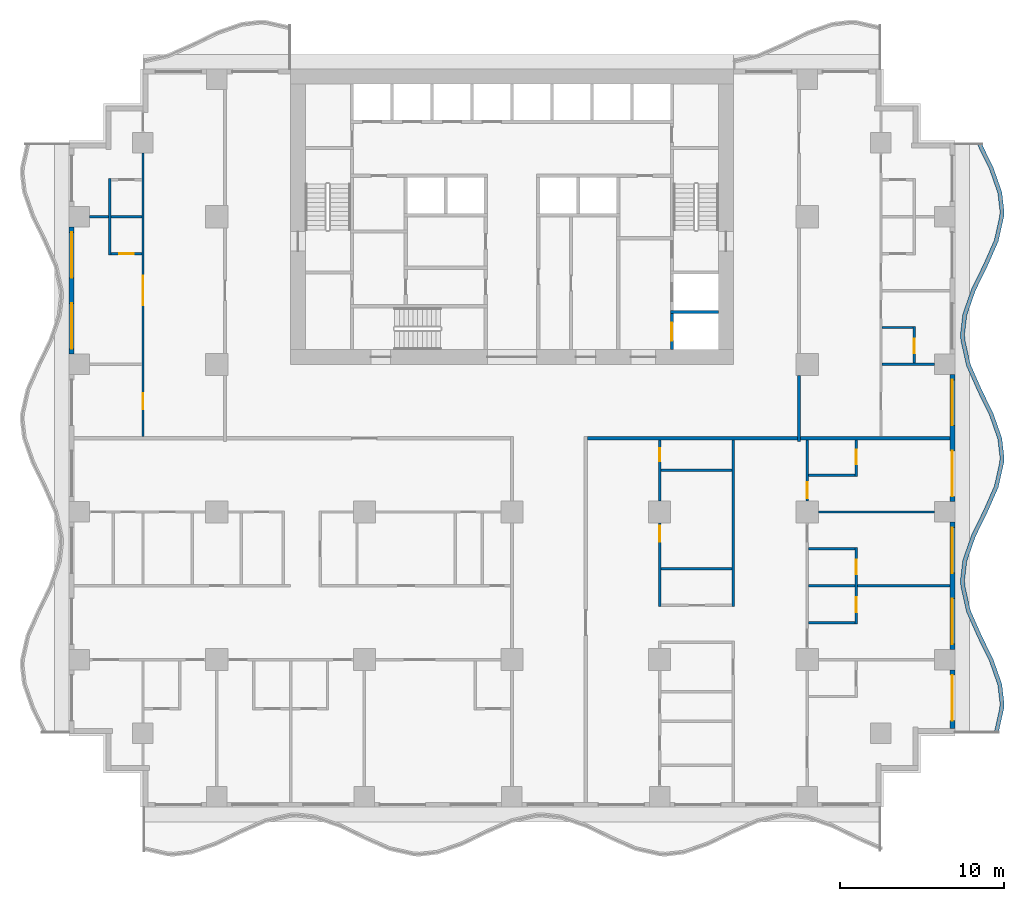
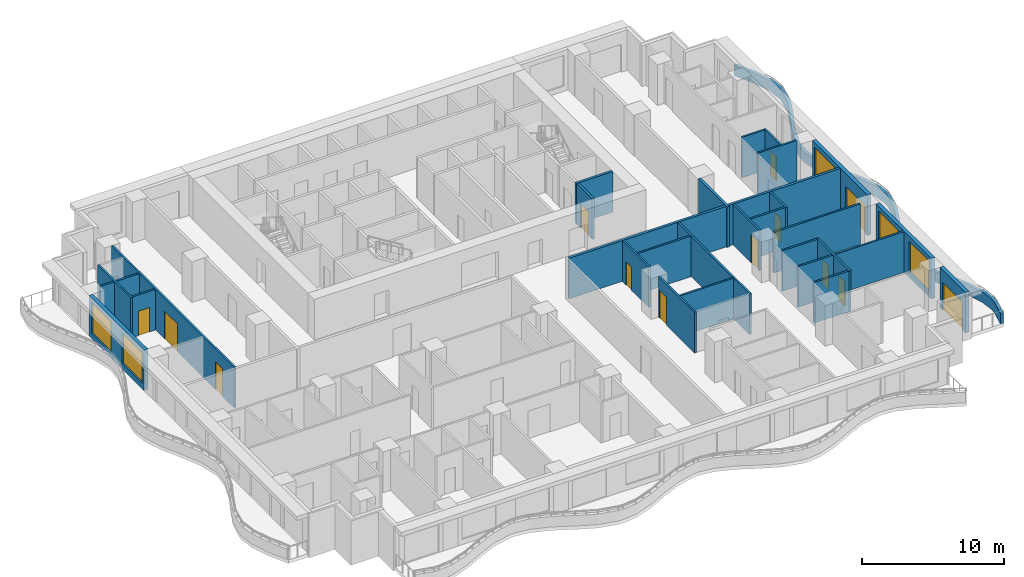
# One storey, part 4 of 14: 32 walls, 13 doors, 5 windows, 18 openings.
"""IFC4 building model written with IfcOpenShell, lengths in metres."""

from ifc_helpers import new_model, si_unit, direction, frame, frame_2d, origin, place, context, subcontext, project, spatial, polyline, rectangle, outline, extrude, material, layer, layer_set, type_object, element, fill, save


model = new_model("IFC4")

# Units and contexts
model_context = context("Model", 3, precision=1e-05, world=origin(), true_north=direction((0.0, 1.0)))
body_context = subcontext(model_context, "Body", "Model", "MODEL_VIEW")
ifc_project = project(units=[si_unit("LENGTHUNIT", "METRE"), si_unit("AREAUNIT", "SQUARE_METRE"), si_unit("VOLUMEUNIT", "CUBIC_METRE"), si_unit("PLANEANGLEUNIT", "RADIAN"), si_unit("MASSUNIT", "GRAM", prefix="KILO")], contexts=[model_context])

# Site, building, storey
site_placement = place(None, origin())
site = spatial("IfcSite", under=ifc_project, at=site_placement, CompositionType="ELEMENT")
building_placement = place(site_placement, origin())
building = spatial("IfcBuilding", under=site, at=building_placement, Name="Orbiselva Terraces", CompositionType="ELEMENT")
storey_placement = place(building_placement, frame((0.0, 0.0, 111.2)))
storey = spatial("IfcBuildingStorey", under=building, at=storey_placement, Name="L28", CompositionType="ELEMENT", Elevation=111.2)

# Wall, opening, door
ifc_material_1 = material(Name="Concrete C60/75", Category="concrete")
ifc_layer_1 = layer(ifc_material_1, 0.2)
ifc_layer_set_1 = layer_set([ifc_layer_1], Name="Concrete C60/75")
wall_type_1 = type_object("IfcWallType", Name="CORE-WALL-SHEAR-200", PredefinedType="SHEAR", material=ifc_layer_set_1)
wall_1_placement = place(storey_placement, frame((9.75, 5.4, 0.0), z_axis=(0.0, 0.0, 1.0), x_axis=(0.0, 1.0, 0.0)))
wall_1 = element("IfcWall", 1, at=wall_1_placement, inside=storey, type_object=wall_type_1, Name="L28 core wall 42", PredefinedType="SHEAR", context=body_context, shape_type="SweptSolid", body=[
    extrude(rectangle(XDim=2.2, YDim=0.2, at=frame_2d((1.1, 0.0))), origin(), (0.0, 0.0, 1.0), 3.5),
])
opening_1_placement = place(wall_1_placement, frame((0.55, 0.0, 0.0)))
opening_1 = element("IfcOpeningElement", 2, at=opening_1_placement, cuts=wall_1, Name="Opening LD-FF1", PredefinedType="OPENING", context=body_context, shape_type="SweptSolid", body=[
    extrude(rectangle(XDim=1.1, YDim=2.1, at=frame_2d((0.55, 1.05))), frame((0.0, 0.11, 0.0), z_axis=(0.0, -1.0, 0.0), x_axis=(1.0, 0.0, 0.0)), (0.0, 0.0, 1.0), 0.22),
])
ifc_material_2 = material(Name="Stainless steel landing door", Category="steel")
door_type_1 = type_object("IfcDoorType", Name="LANDING DOOR 1100", OperationType="SLIDING_TO_LEFT", PredefinedType="DOOR", material=ifc_material_2)
door_1_placement = place(opening_1_placement, origin())
door_1 = element("IfcDoor", 3, at=door_1_placement, inside=storey, type_object=door_type_1, Name="L28 landing door FF1", OperationType="SLIDING_TO_RIGHT", OverallHeight=2.1, OverallWidth=1.1, PredefinedType="DOOR", context=body_context, shape_type="SweptSolid", body=[
    extrude(rectangle(XDim=1.1, YDim=2.1, at=frame_2d((0.55, 1.05))), frame((0.0, 0.025, 0.0), z_axis=(0.0, -1.0, 0.0), x_axis=(1.0, 0.0, 0.0)), (0.0, 0.0, 1.0), 0.05),
])
fill(opening_1, door_1)

# Walls
wall_2_placement = place(storey_placement, frame((9.65, 7.7, 0.0), z_axis=(0.0, 0.0, 1.0), x_axis=(1.0, 0.0, 0.0)))
element("IfcWall", 4, at=wall_2_placement, inside=storey, type_object=wall_type_1, Name="L28 core wall 43", PredefinedType="SHEAR", context=body_context, shape_type="SweptSolid", body=[
    extrude(rectangle(XDim=2.95, YDim=0.2, at=frame_2d((1.475, 0.0))), origin(), (0.0, 0.0, 1.0), 3.5),
])
ifc_material_3 = material(Name="Concrete C40/50", Category="concrete")
ifc_layer_2 = layer(ifc_material_3, 0.25)
ifc_layer_set_2 = layer_set([ifc_layer_2], Name="Concrete C40/50")
wall_type_2 = type_object("IfcWallType", Name="ENV-PLANTER-250x900", PredefinedType="USERDEFINED", material=ifc_layer_set_2)
wall_3_placement = place(storey_placement, origin())
element("IfcWall", 5, at=wall_3_placement, inside=storey, type_object=wall_type_2, Name="Balcony planter L28 E", ObjectType="PLANTER", PredefinedType="USERDEFINED", context=body_context, shape_type="SweptSolid", body=[
    extrude(outline(polyline([(29.648528, -18.0), (29.985226, -16.5), (30.0, -16.125), (29.869208, -15.0), (29.344789, -13.5), (28.612279, -12.0), (27.951472, -10.5), (27.614774, -9.0), (27.6, -8.625), (27.730792, -7.5), (28.255211, -6.0), (28.987721, -4.5), (29.648528, -3.0), (29.985226, -1.5), (30.0, -1.125), (29.869208, 0.0), (29.344789, 1.5), (28.612279, 3.0), (27.951472, 4.5), (27.614774, 6.0), (27.6, 6.375), (27.730792, 7.5), (28.255211, 9.0), (28.987721, 10.5), (29.648528, 12.0), (29.985226, 13.5), (30.0, 13.875), (29.869208, 15.0), (29.344789, 16.5), (28.612279, 18.0), (28.387634, 17.890297), (29.113667, 16.40356), (29.624078, 14.943629), (29.749429, 13.865428), (29.736315, 13.532565), (29.40993, 12.078508), (28.760919, 10.605286), (28.024089, 9.09644), (27.485662, 7.556371), (27.349429, 6.384572), (27.365863, 5.967435), (27.712874, 4.421492), (28.385477, 2.894714), (29.113667, 1.40356), (29.624078, -0.056371), (29.749429, -1.134572), (29.736315, -1.467435), (29.40993, -2.921492), (28.760919, -4.394714), (28.024089, -5.90356), (27.485662, -7.443629), (27.349429, -8.615428), (27.365863, -9.032565), (27.712874, -10.578508), (28.385477, -12.105286), (29.113667, -13.59644), (29.624078, -15.056371), (29.749429, -16.134572), (29.736315, -16.467435), (29.404598, -17.945246), (29.648528, -18.0)])), origin(), (0.0, 0.0, 1.0), 0.9),
])

# Wall, opening, door
ifc_material_4 = material(Name="Terracotta cladding on masonry backing", Category="masonry")
ifc_layer_3 = layer(ifc_material_4, 0.3)
ifc_layer_set_3 = layer_set([ifc_layer_3], Name="Terracotta cladding on masonry backing")
wall_type_3 = type_object("IfcWallType", Name="ENV-WALL-TERRACOTTA-300", PredefinedType="SOLIDWALL", material=ifc_layer_set_3)
wall_4_placement = place(storey_placement, frame((26.85, -14.125, 0.0), z_axis=(0.0, 0.0, 1.0), x_axis=(0.0, -1.0, 0.0)))
wall_4 = element("IfcWall", 6, at=wall_4_placement, inside=storey, type_object=wall_type_3, Name="Facade wall L28 E", PredefinedType="SOLIDWALL", context=body_context, shape_type="SweptSolid", body=[
    extrude(rectangle(XDim=3.575, YDim=0.3, at=frame_2d((1.7875, 0.0))), origin(), (0.0, 0.0, 1.0), 3.5),
])
opening_2_placement = place(wall_4_placement, frame((0.325, 0.0, 0.0)))
opening_2 = element("IfcOpeningElement", 7, at=opening_2_placement, cuts=wall_4, Name="Opening Z2-D-E14", PredefinedType="OPENING", context=body_context, shape_type="SweptSolid", body=[
    extrude(rectangle(XDim=2.775, YDim=2.4, at=frame_2d((1.3875, 1.2))), frame((0.0, 0.16, 0.0), z_axis=(0.0, -1.0, 0.0), x_axis=(1.0, 0.0, 0.0)), (0.0, 0.0, 1.0), 0.32),
])
ifc_material_5 = material(Name="Clear low-e glazing in aluminium frame", Category="aluminium")
door_type_2 = type_object("IfcDoorType", Name="BALCONY DOOR 2775 X 2400", OperationType="DOUBLE_DOOR_SLIDING", PredefinedType="DOOR", material=ifc_material_5)
door_2_placement = place(opening_2_placement, origin())
door_2 = element("IfcDoor", 8, at=door_2_placement, inside=storey, type_object=door_type_2, Name="Z2-D-E14", OperationType="SINGLE_SWING_LEFT", OverallHeight=2.4, OverallWidth=2.775, PredefinedType="DOOR", context=body_context, shape_type="SweptSolid", body=[
    extrude(rectangle(XDim=2.775, YDim=2.4, at=frame_2d((1.3875, 1.2))), frame((0.0, 0.025, 0.0), z_axis=(0.0, -1.0, 0.0), x_axis=(1.0, 0.0, 0.0)), (0.0, 0.0, 1.0), 0.05),
])
fill(opening_2, door_2)

# Wall, openings, windows
wall_5_placement = place(storey_placement, frame((26.85, -5.125, 0.0), z_axis=(0.0, 0.0, 1.0), x_axis=(0.0, -1.0, 0.0)))
wall_5 = element("IfcWall", 9, at=wall_5_placement, inside=storey, type_object=wall_type_3, Name="Facade wall L28 E", PredefinedType="SOLIDWALL", context=body_context, shape_type="SweptSolid", body=[
    extrude(rectangle(XDim=7.75, YDim=0.3, at=frame_2d((3.875, 0.0))), origin(), (0.0, 0.0, 1.0), 3.5),
])
opening_3_placement = place(wall_5_placement, frame((4.65, 0.0, 0.45)))
opening_3 = element("IfcOpeningElement", 10, at=opening_3_placement, cuts=wall_5, Name="Opening WN6", PredefinedType="OPENING", context=body_context, shape_type="SweptSolid", body=[
    extrude(rectangle(XDim=2.775, YDim=2.65, at=frame_2d((1.3875, 1.325))), frame((0.0, 0.16, 0.0), z_axis=(0.0, -1.0, 0.0), x_axis=(1.0, 0.0, 0.0)), (0.0, 0.0, 1.0), 0.32),
])
opening_4_placement = place(wall_5_placement, frame((0.325, 0.0, 0.45)))
opening_4 = element("IfcOpeningElement", 11, at=opening_4_placement, cuts=wall_5, Name="Opening WN6", PredefinedType="OPENING", context=body_context, shape_type="SweptSolid", body=[
    extrude(rectangle(XDim=2.775, YDim=2.65, at=frame_2d((1.3875, 1.325))), frame((0.0, 0.16, 0.0), z_axis=(0.0, -1.0, 0.0), x_axis=(1.0, 0.0, 0.0)), (0.0, 0.0, 1.0), 0.32),
])
window_type = type_object("IfcWindowType", Name="WINDOW 2775 X 2650 S450", PartitioningType="TRIPLE_PANEL_VERTICAL", PredefinedType="WINDOW", material=ifc_material_5)
window_1_placement = place(opening_3_placement, origin())
window_1 = element("IfcWindow", 12, at=window_1_placement, inside=storey, type_object=window_type, Name="Window L28 E", OverallHeight=2.65, OverallWidth=2.775, PartitioningType="SINGLE_PANEL", PredefinedType="WINDOW", context=body_context, shape_type="SweptSolid", body=[
    extrude(rectangle(XDim=2.775, YDim=2.65, at=frame_2d((1.3875, 1.325))), frame((0.0, 0.03, 0.0), z_axis=(0.0, -1.0, 0.0), x_axis=(1.0, 0.0, 0.0)), (0.0, 0.0, 1.0), 0.06),
])
fill(opening_3, window_1)
window_2_placement = place(opening_4_placement, origin())
window_2 = element("IfcWindow", 13, at=window_2_placement, inside=storey, type_object=window_type, Name="Window L28 E", OverallHeight=2.65, OverallWidth=2.775, PartitioningType="SINGLE_PANEL", PredefinedType="WINDOW", context=body_context, shape_type="SweptSolid", body=[
    extrude(rectangle(XDim=2.775, YDim=2.65, at=frame_2d((1.3875, 1.325))), frame((0.0, 0.03, 0.0), z_axis=(0.0, -1.0, 0.0), x_axis=(1.0, 0.0, 0.0)), (0.0, 0.0, 1.0), 0.06),
])
fill(opening_4, window_2)

# Wall, openings, door, window
wall_6_placement = place(storey_placement, frame((26.85, 3.875, 0.0), z_axis=(0.0, 0.0, 1.0), x_axis=(0.0, -1.0, 0.0)))
wall_6 = element("IfcWall", 14, at=wall_6_placement, inside=storey, type_object=wall_type_3, Name="Facade wall L28 E", PredefinedType="SOLIDWALL", context=body_context, shape_type="SweptSolid", body=[
    extrude(rectangle(XDim=7.75, YDim=0.3, at=frame_2d((3.875, 0.0))), origin(), (0.0, 0.0, 1.0), 3.5),
])
opening_5_placement = place(wall_6_placement, frame((4.65, 0.0, 0.0)))
opening_5 = element("IfcOpeningElement", 15, at=opening_5_placement, cuts=wall_6, Name="Opening Z2-D-E20", PredefinedType="OPENING", context=body_context, shape_type="SweptSolid", body=[
    extrude(rectangle(XDim=2.775, YDim=2.4, at=frame_2d((1.3875, 1.2))), frame((0.0, 0.16, 0.0), z_axis=(0.0, -1.0, 0.0), x_axis=(1.0, 0.0, 0.0)), (0.0, 0.0, 1.0), 0.32),
])
opening_6_placement = place(wall_6_placement, frame((0.325, 0.0, 0.45)))
opening_6 = element("IfcOpeningElement", 16, at=opening_6_placement, cuts=wall_6, Name="Opening WN6", PredefinedType="OPENING", context=body_context, shape_type="SweptSolid", body=[
    extrude(rectangle(XDim=2.775, YDim=2.65, at=frame_2d((1.3875, 1.325))), frame((0.0, 0.16, 0.0), z_axis=(0.0, -1.0, 0.0), x_axis=(1.0, 0.0, 0.0)), (0.0, 0.0, 1.0), 0.32),
])
door_3_placement = place(opening_5_placement, origin())
door_3 = element("IfcDoor", 17, at=door_3_placement, inside=storey, type_object=door_type_2, Name="Z2-D-E20", OperationType="SINGLE_SWING_LEFT", OverallHeight=2.4, OverallWidth=2.775, PredefinedType="DOOR", context=body_context, shape_type="SweptSolid", body=[
    extrude(rectangle(XDim=2.775, YDim=2.4, at=frame_2d((1.3875, 1.2))), frame((0.0, 0.025, 0.0), z_axis=(0.0, -1.0, 0.0), x_axis=(1.0, 0.0, 0.0)), (0.0, 0.0, 1.0), 0.05),
])
fill(opening_5, door_3)
window_3_placement = place(opening_6_placement, origin())
window_3 = element("IfcWindow", 18, at=window_3_placement, inside=storey, type_object=window_type, Name="Window L28 E", OverallHeight=2.65, OverallWidth=2.775, PartitioningType="SINGLE_PANEL", PredefinedType="WINDOW", context=body_context, shape_type="SweptSolid", body=[
    extrude(rectangle(XDim=2.775, YDim=2.65, at=frame_2d((1.3875, 1.325))), frame((0.0, 0.03, 0.0), z_axis=(0.0, -1.0, 0.0), x_axis=(1.0, 0.0, 0.0)), (0.0, 0.0, 1.0), 0.06),
])
fill(opening_6, window_3)

# Wall, openings, windows
wall_7_placement = place(storey_placement, frame((-26.85, 5.125, 0.0), z_axis=(0.0, 0.0, 1.0), x_axis=(0.0, 1.0, 0.0)))
wall_7 = element("IfcWall", 19, at=wall_7_placement, inside=storey, type_object=wall_type_3, Name="Facade wall L28 W", PredefinedType="SOLIDWALL", context=body_context, shape_type="SweptSolid", body=[
    extrude(rectangle(XDim=7.75, YDim=0.3, at=frame_2d((3.875, 0.0))), origin(), (0.0, 0.0, 1.0), 3.5),
])
opening_7_placement = place(wall_7_placement, frame((4.65, 0.0, 0.45)))
opening_7 = element("IfcOpeningElement", 20, at=opening_7_placement, cuts=wall_7, Name="Opening WN6", PredefinedType="OPENING", context=body_context, shape_type="SweptSolid", body=[
    extrude(rectangle(XDim=2.775, YDim=2.65, at=frame_2d((1.3875, 1.325))), frame((0.0, 0.16, 0.0), z_axis=(0.0, -1.0, 0.0), x_axis=(1.0, 0.0, 0.0)), (0.0, 0.0, 1.0), 0.32),
])
opening_8_placement = place(wall_7_placement, frame((0.325, 0.0, 0.45)))
opening_8 = element("IfcOpeningElement", 21, at=opening_8_placement, cuts=wall_7, Name="Opening WN6", PredefinedType="OPENING", context=body_context, shape_type="SweptSolid", body=[
    extrude(rectangle(XDim=2.775, YDim=2.65, at=frame_2d((1.3875, 1.325))), frame((0.0, 0.16, 0.0), z_axis=(0.0, -1.0, 0.0), x_axis=(1.0, 0.0, 0.0)), (0.0, 0.0, 1.0), 0.32),
])
window_4_placement = place(opening_7_placement, origin())
window_4 = element("IfcWindow", 22, at=window_4_placement, inside=storey, type_object=window_type, Name="Window L28 W", OverallHeight=2.65, OverallWidth=2.775, PartitioningType="SINGLE_PANEL", PredefinedType="WINDOW", context=body_context, shape_type="SweptSolid", body=[
    extrude(rectangle(XDim=2.775, YDim=2.65, at=frame_2d((1.3875, 1.325))), frame((0.0, 0.03, 0.0), z_axis=(0.0, -1.0, 0.0), x_axis=(1.0, 0.0, 0.0)), (0.0, 0.0, 1.0), 0.06),
])
fill(opening_7, window_4)
window_5_placement = place(opening_8_placement, origin())
window_5 = element("IfcWindow", 23, at=window_5_placement, inside=storey, type_object=window_type, Name="Window L28 W", OverallHeight=2.65, OverallWidth=2.775, PartitioningType="SINGLE_PANEL", PredefinedType="WINDOW", context=body_context, shape_type="SweptSolid", body=[
    extrude(rectangle(XDim=2.775, YDim=2.65, at=frame_2d((1.3875, 1.325))), frame((0.0, 0.03, 0.0), z_axis=(0.0, -1.0, 0.0), x_axis=(1.0, 0.0, 0.0)), (0.0, 0.0, 1.0), 0.06),
])
fill(opening_8, window_5)

# Walls
ifc_material_6 = material(Name="Plasterboard on steel stud partition", Category="steel")
ifc_layer_4 = layer(ifc_material_6, 0.2)
ifc_layer_set_4 = layer_set([ifc_layer_4], Name="Plasterboard on steel stud partition")
wall_type_4 = type_object("IfcWallType", Name="UNIT-ENTRANCE-WALL-200", PredefinedType="PARTITIONING", material=ifc_layer_set_4)
wall_8_placement = place(storey_placement, frame((4.6, 0.0, 0.0), z_axis=(0.0, 0.0, 1.0), x_axis=(1.0, 0.0, 0.0)))
element("IfcWall", 24, at=wall_8_placement, inside=storey, type_object=wall_type_4, Name="PARTITION L28-030", PredefinedType="PARTITIONING", context=body_context, shape_type="SweptSolid", body=[
    extrude(rectangle(XDim=12.8, YDim=0.2, at=frame_2d((6.4, 0.0))), origin(), (0.0, 0.0, 1.0), 3.5),
])
wall_9_placement = place(storey_placement, frame((17.5, -0.2, 0.0), z_axis=(0.0, 0.0, 1.0), x_axis=(0.0, 1.0, 0.0)))
element("IfcWall", 25, at=wall_9_placement, inside=storey, type_object=wall_type_4, Name="PARTITION L28-079", PredefinedType="PARTITIONING", context=body_context, shape_type="SweptSolid", body=[
    extrude(rectangle(XDim=4.025, YDim=0.2, at=frame_2d((2.0125, 0.0))), origin(), (0.0, 0.0, 1.0), 3.5),
])
ifc_layer_5 = layer(ifc_material_6, 0.15)
ifc_layer_set_5 = layer_set([ifc_layer_5], Name="Plasterboard on steel stud partition")
wall_type_5 = type_object("IfcWallType", Name="UNIT-PARTITION-150", PredefinedType="PARTITIONING", material=ifc_layer_set_5)
for number, where, z_axis, x_axis, name in (
    (26, (18.075, -11.25, 0.0), (0.0, 0.0, 1.0), (1.0, 0.0, 0.0), "PARTITION L28-014"),
    (27, (18.075, -9.0, 0.0), (0.0, 0.0, 1.0), (1.0, 0.0, 0.0), "PARTITION L28-018"),
):
    element("IfcWall", number, at=place(storey_placement, frame(where, z_axis=z_axis, x_axis=x_axis)), inside=storey, type_object=wall_type_5, Name=name, PredefinedType="PARTITIONING", context=body_context, shape_type="SweptSolid", body=[
        extrude(rectangle(XDim=2.85, YDim=0.15, at=frame_2d((1.425, 0.0))), origin(), (0.0, 0.0, 1.0), 3.5),
    ])
wall_10_placement = place(storey_placement, frame((21.075, -9.0, 0.0), z_axis=(0.0, 0.0, 1.0), x_axis=(1.0, 0.0, 0.0)))
element("IfcWall", 28, at=wall_10_placement, inside=storey, type_object=wall_type_5, Name="PARTITION L28-019", PredefinedType="PARTITIONING", context=body_context, shape_type="SweptSolid", body=[
    extrude(rectangle(XDim=5.625, YDim=0.15, at=frame_2d((2.8125, 0.0))), origin(), (0.0, 0.0, 1.0), 3.5),
])
wall_11_placement = place(storey_placement, frame((9.075, -7.95, 0.0), z_axis=(0.0, 0.0, 1.0), x_axis=(1.0, 0.0, 0.0)))
element("IfcWall", 29, at=wall_11_placement, inside=storey, type_object=wall_type_5, Name="PARTITION L28-020", PredefinedType="PARTITIONING", context=body_context, shape_type="SweptSolid", body=[
    extrude(rectangle(XDim=4.35, YDim=0.15, at=frame_2d((2.175, 0.0))), origin(), (0.0, 0.0, 1.0), 3.5),
])
wall_12_placement = place(storey_placement, frame((18.075, -6.75, 0.0), z_axis=(0.0, 0.0, 1.0), x_axis=(1.0, 0.0, 0.0)))
element("IfcWall", 30, at=wall_12_placement, inside=storey, type_object=wall_type_5, Name="PARTITION L28-021", PredefinedType="PARTITIONING", context=body_context, shape_type="SweptSolid", body=[
    extrude(rectangle(XDim=2.85, YDim=0.15, at=frame_2d((1.425, 0.0))), origin(), (0.0, 0.0, 1.0), 3.5),
])
wall_13_placement = place(storey_placement, frame((18.675, -4.5, 0.0), z_axis=(0.0, 0.0, 1.0), x_axis=(1.0, 0.0, 0.0)))
element("IfcWall", 31, at=wall_13_placement, inside=storey, type_object=wall_type_5, Name="PARTITION L28-026", PredefinedType="PARTITIONING", context=body_context, shape_type="SweptSolid", body=[
    extrude(rectangle(XDim=7.075, YDim=0.15, at=frame_2d((3.5375, 0.0))), origin(), (0.0, 0.0, 1.0), 3.5),
])
wall_14_placement = place(storey_placement, frame((18.075, -2.25, 0.0), z_axis=(0.0, 0.0, 1.0), x_axis=(1.0, 0.0, 0.0)))
element("IfcWall", 32, at=wall_14_placement, inside=storey, type_object=wall_type_5, Name="PARTITION L28-027", PredefinedType="PARTITIONING", context=body_context, shape_type="SweptSolid", body=[
    extrude(rectangle(XDim=2.85, YDim=0.15, at=frame_2d((1.425, 0.0))), origin(), (0.0, 0.0, 1.0), 3.5),
])
wall_15_placement = place(storey_placement, frame((9.075, -1.95, 0.0), z_axis=(0.0, 0.0, 1.0), x_axis=(1.0, 0.0, 0.0)))
element("IfcWall", 33, at=wall_15_placement, inside=storey, type_object=wall_type_5, Name="PARTITION L28-028", PredefinedType="PARTITIONING", context=body_context, shape_type="SweptSolid", body=[
    extrude(rectangle(XDim=4.35, YDim=0.15, at=frame_2d((2.175, 0.0))), origin(), (0.0, 0.0, 1.0), 3.5),
])
wall_16_placement = place(storey_placement, frame((22.575, 4.5, 0.0), z_axis=(0.0, 0.0, 1.0), x_axis=(1.0, 0.0, 0.0)))
element("IfcWall", 34, at=wall_16_placement, inside=storey, type_object=wall_type_5, Name="PARTITION L28-034", PredefinedType="PARTITIONING", context=body_context, shape_type="SweptSolid", body=[
    extrude(rectangle(XDim=3.175, YDim=0.15, at=frame_2d((1.5875, 0.0))), origin(), (0.0, 0.0, 1.0), 3.5),
])
wall_17_placement = place(storey_placement, frame((22.575, 6.75, 0.0), z_axis=(0.0, 0.0, 1.0), x_axis=(1.0, 0.0, 0.0)))
element("IfcWall", 35, at=wall_17_placement, inside=storey, type_object=wall_type_5, Name="PARTITION L28-035", PredefinedType="PARTITIONING", context=body_context, shape_type="SweptSolid", body=[
    extrude(rectangle(XDim=1.875, YDim=0.15, at=frame_2d((0.9375, 0.0))), origin(), (0.0, 0.0, 1.0), 3.5),
])

# Wall, opening, door
wall_18_placement = place(storey_placement, frame((-24.45, 11.25, 0.0), z_axis=(0.0, 0.0, 1.0), x_axis=(1.0, 0.0, 0.0)))
wall_18 = element("IfcWall", 36, at=wall_18_placement, inside=storey, type_object=wall_type_5, Name="PARTITION L28-037", PredefinedType="PARTITIONING", context=body_context, shape_type="SweptSolid", body=[
    extrude(rectangle(XDim=1.875, YDim=0.15, at=frame_2d((0.9375, 0.0))), origin(), (0.0, 0.0, 1.0), 3.5),
])
opening_9_placement = place(wall_18_placement, frame((0.5, 0.0, 0.0)))
opening_9 = element("IfcOpeningElement", 37, at=opening_9_placement, cuts=wall_18, Name="Opening Z2-D-04", PredefinedType="OPENING", context=body_context, shape_type="SweptSolid", body=[
    extrude(rectangle(XDim=0.9, YDim=2.1, at=frame_2d((0.45, 1.05))), frame((0.0, 0.085, 0.0), z_axis=(0.0, -1.0, 0.0), x_axis=(1.0, 0.0, 0.0)), (0.0, 0.0, 1.0), 0.17),
])
ifc_material_7 = material(Name="Painted timber door leaf", Category="wood")
door_type_3 = type_object("IfcDoorType", Name="BATH DOOR 900", OperationType="NOTDEFINED", PredefinedType="DOOR", material=ifc_material_7)
door_4_placement = place(opening_9_placement, origin())
door_4 = element("IfcDoor", 38, at=door_4_placement, inside=storey, type_object=door_type_3, Name="Z2-D-04", OperationType="SINGLE_SWING_RIGHT", OverallHeight=2.1, OverallWidth=0.9, PredefinedType="DOOR", context=body_context, shape_type="SweptSolid", body=[
    extrude(rectangle(XDim=0.9, YDim=2.1, at=frame_2d((0.45, 1.05))), frame((0.0, 0.025, 0.0), z_axis=(0.0, -1.0, 0.0), x_axis=(1.0, 0.0, 0.0)), (0.0, 0.0, 1.0), 0.05),
])
fill(opening_9, door_4)

# Walls
wall_19_placement = place(storey_placement, frame((-25.75, 13.5, 0.0), z_axis=(0.0, 0.0, 1.0), x_axis=(1.0, 0.0, 0.0)))
element("IfcWall", 39, at=wall_19_placement, inside=storey, type_object=wall_type_5, Name="PARTITION L28-039", PredefinedType="PARTITIONING", context=body_context, shape_type="SweptSolid", body=[
    extrude(rectangle(XDim=1.15, YDim=0.15, at=frame_2d((0.575, 0.0))), origin(), (0.0, 0.0, 1.0), 3.5),
])
wall_20_placement = place(storey_placement, frame((-24.45, 13.5, 0.0), z_axis=(0.0, 0.0, 1.0), x_axis=(1.0, 0.0, 0.0)))
element("IfcWall", 40, at=wall_20_placement, inside=storey, type_object=wall_type_5, Name="PARTITION L28-040", PredefinedType="PARTITIONING", context=body_context, shape_type="SweptSolid", body=[
    extrude(rectangle(XDim=1.875, YDim=0.15, at=frame_2d((0.9375, 0.0))), origin(), (0.0, 0.0, 1.0), 3.5),
])
wall_21_placement = place(storey_placement, frame((-24.525, 11.175, 0.0), z_axis=(0.0, 0.0, 1.0), x_axis=(0.0, 1.0, 0.0)))
element("IfcWall", 41, at=wall_21_placement, inside=storey, type_object=wall_type_5, Name="PARTITION L28-045", PredefinedType="PARTITIONING", context=body_context, shape_type="SweptSolid", body=[
    extrude(rectangle(XDim=4.65, YDim=0.15, at=frame_2d((2.325, 0.0))), origin(), (0.0, 0.0, 1.0), 3.5),
])

# Wall, openings, doors
wall_22_placement = place(storey_placement, frame((-22.5, 0.1, 0.0), z_axis=(0.0, 0.0, 1.0), x_axis=(0.0, 1.0, 0.0)))
wall_22 = element("IfcWall", 42, at=wall_22_placement, inside=storey, type_object=wall_type_5, Name="PARTITION L28-050", PredefinedType="PARTITIONING", context=body_context, shape_type="SweptSolid", body=[
    extrude(rectangle(XDim=17.275, YDim=0.15, at=frame_2d((8.6375, 0.0))), origin(), (0.0, 0.0, 1.0), 3.5),
])
opening_10_placement = place(wall_22_placement, frame((1.65, 0.0, 0.0)))
opening_10 = element("IfcOpeningElement", 43, at=opening_10_placement, cuts=wall_22, Name="Opening Z2-D-02", PredefinedType="OPENING", context=body_context, shape_type="SweptSolid", body=[
    extrude(rectangle(XDim=1.0, YDim=2.4, at=frame_2d((0.5, 1.2))), frame((0.0, 0.085, 0.0), z_axis=(0.0, -1.0, 0.0), x_axis=(1.0, 0.0, 0.0)), (0.0, 0.0, 1.0), 0.17),
])
opening_11_placement = place(wall_22_placement, frame((8.0, 0.0, 0.0)))
opening_11 = element("IfcOpeningElement", 44, at=opening_11_placement, cuts=wall_22, Name="Opening Z2-D-03", PredefinedType="OPENING", context=body_context, shape_type="SweptSolid", body=[
    extrude(rectangle(XDim=1.8, YDim=2.4, at=frame_2d((0.9, 1.2))), frame((0.0, 0.085, 0.0), z_axis=(0.0, -1.0, 0.0), x_axis=(1.0, 0.0, 0.0)), (0.0, 0.0, 1.0), 0.17),
])
door_type_4 = type_object("IfcDoorType", Name="DOUBLE DOOR 1800", OperationType="NOTDEFINED", PredefinedType="DOOR", material=ifc_material_7)
door_5_placement = place(opening_11_placement, origin())
door_5 = element("IfcDoor", 45, at=door_5_placement, inside=storey, type_object=door_type_4, Name="Z2-D-03", OperationType="DOUBLE_DOOR_SINGLE_SWING", OverallHeight=2.4, OverallWidth=1.8, PredefinedType="DOOR", context=body_context, shape_type="SweptSolid", body=[
    extrude(rectangle(XDim=1.8, YDim=2.4, at=frame_2d((0.9, 1.2))), frame((0.0, 0.025, 0.0), z_axis=(0.0, -1.0, 0.0), x_axis=(1.0, 0.0, 0.0)), (0.0, 0.0, 1.0), 0.05),
])
fill(opening_11, door_5)
door_type_5 = type_object("IfcDoorType", Name="ROOM DOOR 1000", OperationType="NOTDEFINED", PredefinedType="DOOR", material=ifc_material_7)
door_6_placement = place(opening_10_placement, origin())
door_6 = element("IfcDoor", 46, at=door_6_placement, inside=storey, type_object=door_type_5, Name="Z2-D-02", OperationType="SINGLE_SWING_LEFT", OverallHeight=2.4, OverallWidth=1.0, PredefinedType="DOOR", context=body_context, shape_type="SweptSolid", body=[
    extrude(rectangle(XDim=1.0, YDim=2.4, at=frame_2d((0.5, 1.2))), frame((0.0, 0.025, 0.0), z_axis=(0.0, -1.0, 0.0), x_axis=(1.0, 0.0, 0.0)), (0.0, 0.0, 1.0), 0.05),
])
fill(opening_10, door_6)

# Wall, opening, door
wall_23_placement = place(storey_placement, frame((9.0, -5.175, 0.0), z_axis=(0.0, 0.0, 1.0), x_axis=(0.0, -1.0, 0.0)))
wall_23 = element("IfcWall", 47, at=wall_23_placement, inside=storey, type_object=wall_type_5, Name="PARTITION L28-075", PredefinedType="PARTITIONING", context=body_context, shape_type="SweptSolid", body=[
    extrude(rectangle(XDim=5.1, YDim=0.15, at=frame_2d((2.55, 0.0))), origin(), (0.0, 0.0, 1.0), 3.5),
])
opening_12_placement = place(wall_23_placement, frame((0.15, 0.0, 0.0)))
opening_12 = element("IfcOpeningElement", 48, at=opening_12_placement, cuts=wall_23, Name="Opening Z2-D-36", PredefinedType="OPENING", context=body_context, shape_type="SweptSolid", body=[
    extrude(rectangle(XDim=1.0, YDim=2.4, at=frame_2d((0.5, 1.2))), frame((0.0, 0.085, 0.0), z_axis=(0.0, -1.0, 0.0), x_axis=(1.0, 0.0, 0.0)), (0.0, 0.0, 1.0), 0.17),
])
door_7_placement = place(opening_12_placement, origin())
door_7 = element("IfcDoor", 49, at=door_7_placement, inside=storey, type_object=door_type_5, Name="Z2-D-36", OperationType="SINGLE_SWING_LEFT", OverallHeight=2.4, OverallWidth=1.0, PredefinedType="DOOR", context=body_context, shape_type="SweptSolid", body=[
    extrude(rectangle(XDim=1.0, YDim=2.4, at=frame_2d((0.5, 1.2))), frame((0.0, 0.025, 0.0), z_axis=(0.0, -1.0, 0.0), x_axis=(1.0, 0.0, 0.0)), (0.0, 0.0, 1.0), 0.05),
])
fill(opening_12, door_7)

wall_24_placement = place(storey_placement, frame((9.0, -0.1, 0.0), z_axis=(0.0, 0.0, 1.0), x_axis=(0.0, -1.0, 0.0)))
wall_24 = element("IfcWall", 50, at=wall_24_placement, inside=storey, type_object=wall_type_5, Name="PARTITION L28-076", PredefinedType="PARTITIONING", context=body_context, shape_type="SweptSolid", body=[
    extrude(rectangle(XDim=3.725, YDim=0.15, at=frame_2d((1.8625, 0.0))), origin(), (0.0, 0.0, 1.0), 3.5),
])
opening_13_placement = place(wall_24_placement, frame((0.5, 0.0, 0.0)))
opening_13 = element("IfcOpeningElement", 51, at=opening_13_placement, cuts=wall_24, Name="Opening Z2-D-35", PredefinedType="OPENING", context=body_context, shape_type="SweptSolid", body=[
    extrude(rectangle(XDim=0.8, YDim=2.0, at=frame_2d((0.4, 1.0))), frame((0.0, 0.085, 0.0), z_axis=(0.0, -1.0, 0.0), x_axis=(1.0, 0.0, 0.0)), (0.0, 0.0, 1.0), 0.17),
])
door_type_6 = type_object("IfcDoorType", Name="STORE DOOR 800", OperationType="NOTDEFINED", PredefinedType="DOOR", material=ifc_material_7)
door_8_placement = place(opening_13_placement, origin())
door_8 = element("IfcDoor", 52, at=door_8_placement, inside=storey, type_object=door_type_6, Name="Z2-D-35", OperationType="SINGLE_SWING_LEFT", OverallHeight=2.0, OverallWidth=0.8, PredefinedType="DOOR", context=body_context, shape_type="SweptSolid", body=[
    extrude(rectangle(XDim=0.8, YDim=2.0, at=frame_2d((0.4, 1.0))), frame((0.0, 0.025, 0.0), z_axis=(0.0, -1.0, 0.0), x_axis=(1.0, 0.0, 0.0)), (0.0, 0.0, 1.0), 0.05),
])
fill(opening_13, door_8)

# Wall
wall_25_placement = place(storey_placement, frame((13.5, -10.275, 0.0), z_axis=(0.0, 0.0, 1.0), x_axis=(0.0, 1.0, 0.0)))
element("IfcWall", 53, at=wall_25_placement, inside=storey, type_object=wall_type_5, Name="PARTITION L28-078", PredefinedType="PARTITIONING", context=body_context, shape_type="SweptSolid", body=[
    extrude(rectangle(XDim=10.175, YDim=0.15, at=frame_2d((5.0875, 0.0))), origin(), (0.0, 0.0, 1.0), 3.5),
])

# Wall, opening, door
wall_26_placement = place(storey_placement, frame((18.0, -0.1, 0.0), z_axis=(0.0, 0.0, 1.0), x_axis=(0.0, -1.0, 0.0)))
wall_26 = element("IfcWall", 54, at=wall_26_placement, inside=storey, type_object=wall_type_5, Name="PARTITION L28-084", PredefinedType="PARTITIONING", context=body_context, shape_type="SweptSolid", body=[
    extrude(rectangle(XDim=3.725, YDim=0.15, at=frame_2d((1.8625, 0.0))), origin(), (0.0, 0.0, 1.0), 3.5),
])
opening_14_placement = place(wall_26_placement, frame((2.575, 0.0, 0.0)))
opening_14 = element("IfcOpeningElement", 55, at=opening_14_placement, cuts=wall_26, Name="Opening Z2-D-42", PredefinedType="OPENING", context=body_context, shape_type="SweptSolid", body=[
    extrude(rectangle(XDim=1.0, YDim=2.4, at=frame_2d((0.5, 1.2))), frame((0.0, 0.085, 0.0), z_axis=(0.0, -1.0, 0.0), x_axis=(1.0, 0.0, 0.0)), (0.0, 0.0, 1.0), 0.17),
])
door_9_placement = place(opening_14_placement, origin())
door_9 = element("IfcDoor", 56, at=door_9_placement, inside=storey, type_object=door_type_5, Name="Z2-D-42", OperationType="SINGLE_SWING_RIGHT", OverallHeight=2.4, OverallWidth=1.0, PredefinedType="DOOR", context=body_context, shape_type="SweptSolid", body=[
    extrude(rectangle(XDim=1.0, YDim=2.4, at=frame_2d((0.5, 1.2))), frame((0.0, 0.025, 0.0), z_axis=(0.0, -1.0, 0.0), x_axis=(1.0, 0.0, 0.0)), (0.0, 0.0, 1.0), 0.05),
])
fill(opening_14, door_9)

# Wall, openings, doors
wall_27_placement = place(storey_placement, frame((21.0, -11.325, 0.0), z_axis=(0.0, 0.0, 1.0), x_axis=(0.0, 1.0, 0.0)))
wall_27 = element("IfcWall", 57, at=wall_27_placement, inside=storey, type_object=wall_type_5, Name="PARTITION L28-086", PredefinedType="PARTITIONING", context=body_context, shape_type="SweptSolid", body=[
    extrude(rectangle(XDim=4.65, YDim=0.15, at=frame_2d((2.325, 0.0))), origin(), (0.0, 0.0, 1.0), 3.5),
])
opening_15_placement = place(wall_27_placement, frame((3.025, 0.0, 0.0)))
opening_15 = element("IfcOpeningElement", 58, at=opening_15_placement, cuts=wall_27, Name="Opening Z2-D-45", PredefinedType="OPENING", context=body_context, shape_type="SweptSolid", body=[
    extrude(rectangle(XDim=0.9, YDim=2.1, at=frame_2d((0.45, 1.05))), frame((0.0, 0.085, 0.0), z_axis=(0.0, -1.0, 0.0), x_axis=(1.0, 0.0, 0.0)), (0.0, 0.0, 1.0), 0.17),
])
opening_16_placement = place(wall_27_placement, frame((0.725, 0.0, 0.0)))
opening_16 = element("IfcOpeningElement", 59, at=opening_16_placement, cuts=wall_27, Name="Opening Z2-D-47", PredefinedType="OPENING", context=body_context, shape_type="SweptSolid", body=[
    extrude(rectangle(XDim=0.9, YDim=2.1, at=frame_2d((0.45, 1.05))), frame((0.0, 0.085, 0.0), z_axis=(0.0, -1.0, 0.0), x_axis=(1.0, 0.0, 0.0)), (0.0, 0.0, 1.0), 0.17),
])
door_10_placement = place(opening_15_placement, origin())
door_10 = element("IfcDoor", 60, at=door_10_placement, inside=storey, type_object=door_type_3, Name="Z2-D-45", OperationType="SINGLE_SWING_RIGHT", OverallHeight=2.1, OverallWidth=0.9, PredefinedType="DOOR", context=body_context, shape_type="SweptSolid", body=[
    extrude(rectangle(XDim=0.9, YDim=2.1, at=frame_2d((0.45, 1.05))), frame((0.0, 0.025, 0.0), z_axis=(0.0, -1.0, 0.0), x_axis=(1.0, 0.0, 0.0)), (0.0, 0.0, 1.0), 0.05),
])
fill(opening_15, door_10)
door_11_placement = place(opening_16_placement, origin())
door_11 = element("IfcDoor", 61, at=door_11_placement, inside=storey, type_object=door_type_3, Name="Z2-D-47", OperationType="SINGLE_SWING_LEFT", OverallHeight=2.1, OverallWidth=0.9, PredefinedType="DOOR", context=body_context, shape_type="SweptSolid", body=[
    extrude(rectangle(XDim=0.9, YDim=2.1, at=frame_2d((0.45, 1.05))), frame((0.0, 0.025, 0.0), z_axis=(0.0, -1.0, 0.0), x_axis=(1.0, 0.0, 0.0)), (0.0, 0.0, 1.0), 0.05),
])
fill(opening_16, door_11)

# Wall, opening, door
wall_28_placement = place(storey_placement, frame((21.0, -2.325, 0.0), z_axis=(0.0, 0.0, 1.0), x_axis=(0.0, 1.0, 0.0)))
wall_28 = element("IfcWall", 62, at=wall_28_placement, inside=storey, type_object=wall_type_5, Name="PARTITION L28-087", PredefinedType="PARTITIONING", context=body_context, shape_type="SweptSolid", body=[
    extrude(rectangle(XDim=2.225, YDim=0.15, at=frame_2d((1.1125, 0.0))), origin(), (0.0, 0.0, 1.0), 3.5),
])
opening_17_placement = place(wall_28_placement, frame((0.725, 0.0, 0.0)))
opening_17 = element("IfcOpeningElement", 63, at=opening_17_placement, cuts=wall_28, Name="Opening Z2-D-43", PredefinedType="OPENING", context=body_context, shape_type="SweptSolid", body=[
    extrude(rectangle(XDim=0.9, YDim=2.1, at=frame_2d((0.45, 1.05))), frame((0.0, 0.085, 0.0), z_axis=(0.0, -1.0, 0.0), x_axis=(1.0, 0.0, 0.0)), (0.0, 0.0, 1.0), 0.17),
])
door_12_placement = place(opening_17_placement, origin())
door_12 = element("IfcDoor", 64, at=door_12_placement, inside=storey, type_object=door_type_3, Name="Z2-D-43", OperationType="SINGLE_SWING_RIGHT", OverallHeight=2.1, OverallWidth=0.9, PredefinedType="DOOR", context=body_context, shape_type="SweptSolid", body=[
    extrude(rectangle(XDim=0.9, YDim=2.1, at=frame_2d((0.45, 1.05))), frame((0.0, 0.025, 0.0), z_axis=(0.0, -1.0, 0.0), x_axis=(1.0, 0.0, 0.0)), (0.0, 0.0, 1.0), 0.05),
])
fill(opening_17, door_12)

wall_29_placement = place(storey_placement, frame((24.525, 4.575, 0.0), z_axis=(0.0, 0.0, 1.0), x_axis=(0.0, 1.0, 0.0)))
wall_29 = element("IfcWall", 65, at=wall_29_placement, inside=storey, type_object=wall_type_5, Name="PARTITION L28-090", PredefinedType="PARTITIONING", context=body_context, shape_type="SweptSolid", body=[
    extrude(rectangle(XDim=2.25, YDim=0.15, at=frame_2d((1.125, 0.0))), origin(), (0.0, 0.0, 1.0), 3.5),
])
opening_18_placement = place(wall_29_placement, frame((0.6, 0.0, 0.0)))
opening_18 = element("IfcOpeningElement", 66, at=opening_18_placement, cuts=wall_29, Name="Opening Z2-D-10", PredefinedType="OPENING", context=body_context, shape_type="SweptSolid", body=[
    extrude(rectangle(XDim=0.9, YDim=2.1, at=frame_2d((0.45, 1.05))), frame((0.0, 0.085, 0.0), z_axis=(0.0, -1.0, 0.0), x_axis=(1.0, 0.0, 0.0)), (0.0, 0.0, 1.0), 0.17),
])
door_13_placement = place(opening_18_placement, origin())
door_13 = element("IfcDoor", 67, at=door_13_placement, inside=storey, type_object=door_type_3, Name="Z2-D-10", OperationType="SINGLE_SWING_LEFT", OverallHeight=2.1, OverallWidth=0.9, PredefinedType="DOOR", context=body_context, shape_type="SweptSolid", body=[
    extrude(rectangle(XDim=0.9, YDim=2.1, at=frame_2d((0.45, 1.05))), frame((0.0, 0.025, 0.0), z_axis=(0.0, -1.0, 0.0), x_axis=(1.0, 0.0, 0.0)), (0.0, 0.0, 1.0), 0.05),
])
fill(opening_18, door_13)

# Wall
ifc_layer_6 = layer(ifc_material_6, 0.2)
ifc_layer_set_6 = layer_set([ifc_layer_6], Name="Plasterboard on steel stud partition")
wall_type_6 = type_object("IfcWallType", Name="UNIT-PARTY-WALL-200", PredefinedType="PARTITIONING", material=ifc_layer_set_6)
wall_30_placement = place(storey_placement, frame((17.6, 0.0, 0.0), z_axis=(0.0, 0.0, 1.0), x_axis=(1.0, 0.0, 0.0)))
element("IfcWall", 68, at=wall_30_placement, inside=storey, type_object=wall_type_6, Name="PARTITION L28-032", PredefinedType="PARTITIONING", context=body_context, shape_type="SweptSolid", body=[
    extrude(rectangle(XDim=9.1, YDim=0.2, at=frame_2d((4.55, 0.0))), origin(), (0.0, 0.0, 1.0), 3.5),
])

save(model, "model.ifc")
